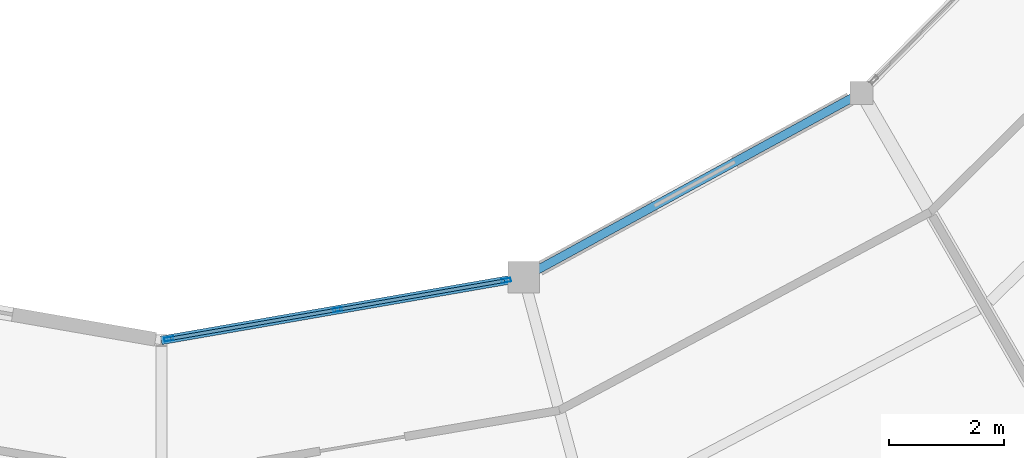
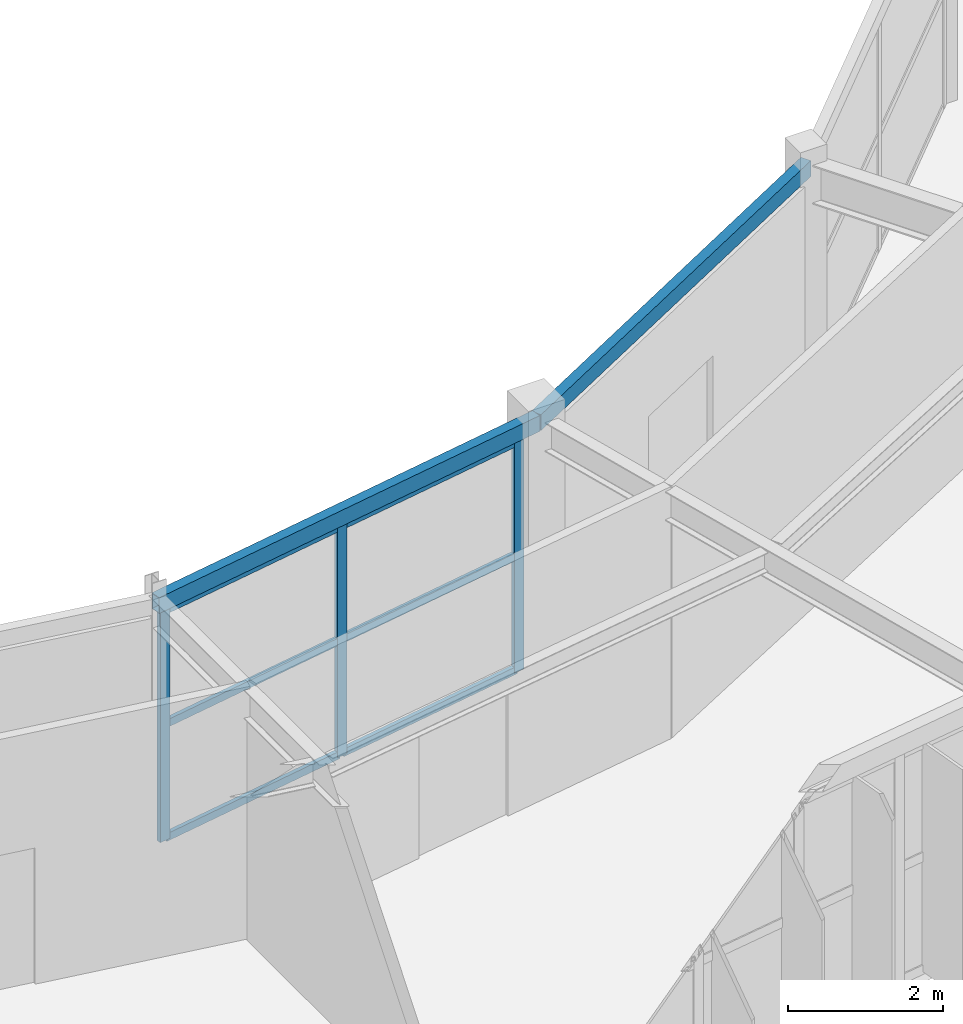
# One storey, part 47 of 134: 9 members, 2 beams, 1 element without a shape of its own.
"""IFC4 building model written with IfcOpenShell, lengths in metres."""

import ifcopenshell
import ifcopenshell.guid

model = None  # the IFC model being written
_history = None  # IfcOwnerHistory: only IFC2X3 demands one
_inside = {}  # id of a spatial element -> (the spatial element, [elements in it])
_under = {}  # id of a project, library or spatial element -> (it, [spatial elements below it])
_declared = {}  # id of a project -> (the project, [libraries it declares])
_typed = {}  # id of a type object -> (the type object, [elements of that type])
_made_of = {}  # id of a material, layer set ... -> (it, [elements and type objects made of it])


def new_model(schema):
    """Start an empty IFC model of exactly this schema.

    Asked for "IFC4X3", IfcOpenShell would pick the latest addendum, in which some entities
    have other attributes; the version numbers below select the first issue.
    IFC2X3 requires an IfcOwnerHistory on every rooted entity: one is made here for all.
    """
    global model, _history
    if schema == "IFC4X3":
        model = ifcopenshell.file(schema_version=(4, 3, 0, 0))
    else:
        model = ifcopenshell.file(schema=schema)
    _inside.clear()
    _under.clear()
    _declared.clear()
    _typed.clear()
    _made_of.clear()
    _history = None
    if model.schema == "IFC2X3":
        org = make("IfcOrganization", Name="unknown")
        user = make(
            "IfcPersonAndOrganization",
            ThePerson=make("IfcPerson", FamilyName="unknown"),
            TheOrganization=org,
        )
        app = make(
            "IfcApplication",
            ApplicationDeveloper=org,
            Version="unknown",
            ApplicationFullName="unknown",
            ApplicationIdentifier="unknown",
        )
        _history = make(
            "IfcOwnerHistory",
            OwningUser=user,
            OwningApplication=app,
            ChangeAction="ADDED",
            CreationDate=0,
        )
    return model


def make(cls, **values):
    """One entity of the class cls with the attributes given. An attribute that is None is left unset."""
    return model.create_entity(
        cls, **{name: value for name, value in values.items() if value is not None}
    )


def rooted(cls, **values):
    """An entity with a GlobalId (a new one), such as an element, a storey or a relation."""
    return make(cls, GlobalId=ifcopenshell.guid.new(), OwnerHistory=_history, **values)


def si_unit(unit_type, name, prefix=None):
    """IfcSIUnit, for example si_unit("LENGTHUNIT", "METRE", prefix="MILLI")."""
    return make("IfcSIUnit", UnitType=unit_type, Prefix=prefix, Name=name)


def assignment(units):
    """IfcUnitAssignment: the units of a project."""
    return None if units is None else make("IfcUnitAssignment", Units=units)


def point(xyz):
    """IfcCartesianPoint."""
    return None if xyz is None else make("IfcCartesianPoint", Coordinates=xyz)


def direction(xyz):
    """IfcDirection."""
    return None if xyz is None else make("IfcDirection", DirectionRatios=xyz)


def frame(location, z_axis=None, x_axis=None):
    """IfcAxis2Placement3D, a coordinate frame: its origin and axes. An axis left out is left unset."""
    return make(
        "IfcAxis2Placement3D",
        Location=point(location),
        Axis=direction(z_axis),
        RefDirection=direction(x_axis),
    )


def frame_2d(location, x_axis=None):
    """IfcAxis2Placement2D, a coordinate frame in the plane: its origin and x axis."""
    return make(
        "IfcAxis2Placement2D", Location=point(location), RefDirection=direction(x_axis)
    )


def origin():
    """The frame at (0, 0, 0) with its axes left unset."""
    return frame((0.0, 0.0, 0.0))


def origin_2d():
    """The frame at (0, 0) in the plane with its x axis left unset."""
    return frame_2d((0.0, 0.0))


def place(relative_to, where):
    """IfcLocalPlacement: puts the frame where relative to a parent placement (None: the world)."""
    return make(
        "IfcLocalPlacement", PlacementRelTo=relative_to, RelativePlacement=where
    )


def context(
    kind, dimensions, precision=None, world=None, true_north=None, identifier=None
):
    """IfcGeometricRepresentationContext, for example the 3D "Model" context."""
    return make(
        "IfcGeometricRepresentationContext",
        ContextIdentifier=identifier,
        ContextType=kind,
        CoordinateSpaceDimension=dimensions,
        Precision=precision,
        WorldCoordinateSystem=world,
        TrueNorth=true_north,
    )


def subcontext(parent, identifier, kind, view, scale=None):
    """IfcGeometricRepresentationSubContext, for example "Body" below "Model"."""
    return make(
        "IfcGeometricRepresentationSubContext",
        ContextIdentifier=identifier,
        ContextType=kind,
        ParentContext=parent,
        TargetScale=scale,
        TargetView=view,
    )


def project(units=None, contexts=None):
    """IfcProject with its units and contexts."""
    return rooted(
        "IfcProject",
        Name="project",
        RepresentationContexts=contexts,
        UnitsInContext=assignment(units),
    )


def spatial(cls, under=None, at=None, **own):
    """A site, building, storey or space (cls), placed at a placement, below another one or the project."""
    s = rooted(cls, ObjectPlacement=at, **own)
    if under is not None:
        _under.setdefault(under.id(), (under, []))[1].append(s)
    return s


def profile(cls, at=None, kind="AREA", **sizes):
    """A parametric profile (cls). Its sizes go by their IFC names, for example OverallWidth=200.0."""
    return make(cls, ProfileType=kind, Position=at, **sizes)


def hollow_rectangle(**sizes):
    """IfcRectangleHollowProfileDef."""
    return profile("IfcRectangleHollowProfileDef", **sizes)


def extrude(swept, where, along, depth):
    """IfcExtrudedAreaSolid: the profile swept, set in the frame where, extruded along a direction by depth."""
    return make(
        "IfcExtrudedAreaSolid",
        SweptArea=swept,
        Position=where,
        ExtrudedDirection=direction(along),
        Depth=depth,
    )


def shape(context_of_items, identifier, shape_type, items):
    """IfcShapeRepresentation: the items that make up one representation, for example the "Body"."""
    return make(
        "IfcShapeRepresentation",
        ContextOfItems=context_of_items,
        RepresentationIdentifier=identifier,
        RepresentationType=shape_type,
        Items=items,
    )


def material(Name=None, Category=None):
    """IfcMaterial."""
    return make("IfcMaterial", Name=Name, Category=Category)


def material_profile(
    of_material, cross_section, Name=None, Category=None, Priority=None
):
    """IfcMaterialProfile: a cross section and its material."""
    return make(
        "IfcMaterialProfile",
        Name=Name,
        Material=of_material,
        Profile=cross_section,
        Priority=Priority,
        Category=Category,
    )


def profile_set(profiles, Name=None, composite=None):
    """IfcMaterialProfileSet."""
    return make(
        "IfcMaterialProfileSet",
        Name=Name,
        MaterialProfiles=profiles,
        CompositeProfile=composite,
    )


def made_of(thing, what):
    """Note that an element or type object is made of a material, layer set ...; save() writes the relation."""
    if what is not None:
        _made_of.setdefault(what.id(), (what, []))[1].append(thing)
    return thing


def type_object(cls, material=None, **own):
    """A type object (cls), such as IfcWallType, which elements share."""
    return made_of(rooted(cls, **own), material)


def element(
    cls,
    number,
    at=None,
    inside=None,
    cuts=None,
    type_object=None,
    material=None,
    context=None,
    identifier="Body",
    shape_type=None,
    held_by="IfcProductDefinitionShape",
    body=None,
    shapes=None,
    **own,
):
    """One element of the class cls, such as IfcWall. Its Tag is "e" and its number.

    at: its placement. inside: the storey or other place that contains it. cuts: it is an
    opening in that element (IfcRelVoidsElement). A single representation is given by context,
    identifier, shape_type and body (its items); several are given by shapes. held_by: the class
    of the entity that holds the representations. save() writes the other relations.
    """
    e = rooted(cls, Tag="e%d" % number, ObjectPlacement=at, **own)
    if body is not None:
        shapes = [shape(context, identifier, shape_type, body)]
    if shapes is not None:
        e.Representation = make(held_by, Representations=shapes)
    if inside is not None:
        _inside.setdefault(inside.id(), (inside, []))[1].append(e)
    if cuts is not None:
        rooted(
            "IfcRelVoidsElement", RelatingBuildingElement=cuts, RelatedOpeningElement=e
        )
    if type_object is not None:
        _typed.setdefault(type_object.id(), (type_object, []))[1].append(e)
    return made_of(e, material)


def aggregate(whole, parts):
    """IfcRelAggregates: a whole, such as a stair, and the parts it consists of."""
    return rooted("IfcRelAggregates", RelatingObject=whole, RelatedObjects=parts)


def save(model, path):
    """Write the relations noted so far, then the file.

    IfcRelAggregates (storeys below a building ...), IfcRelContainedInSpatialStructure (elements
    in a storey), IfcRelDefinesByType, IfcRelAssociatesMaterial and IfcRelDeclares: one each for
    every whole, place, type object, material and project.
    """
    for whole, parts in _under.values():
        aggregate(whole, parts)
    for where, things in _inside.values():
        rooted(
            "IfcRelContainedInSpatialStructure",
            RelatedElements=things,
            RelatingStructure=where,
        )
    for kind, things in _typed.values():
        rooted("IfcRelDefinesByType", RelatedObjects=things, RelatingType=kind)
    for what, things in _made_of.values():
        rooted("IfcRelAssociatesMaterial", RelatedObjects=things, RelatingMaterial=what)
    for by, libraries in _declared.values():
        rooted("IfcRelDeclares", RelatingContext=by, RelatedDefinitions=libraries)
    model.write(path)


model = new_model("IFC4")

# Units and contexts
model_context = context("Model", 3, precision=1e-05, world=origin(), true_north=direction((0.0, 1.0)))
body_context = subcontext(model_context, "Body", "Model", "MODEL_VIEW")
ifc_project = project(units=[si_unit("LENGTHUNIT", "METRE"), si_unit("AREAUNIT", "SQUARE_METRE"), si_unit("VOLUMEUNIT", "CUBIC_METRE"), si_unit("PLANEANGLEUNIT", "RADIAN"), si_unit("MASSUNIT", "GRAM", prefix="KILO")], contexts=[model_context])

# Site, building, storey
site_placement = place(None, origin())
site = spatial("IfcSite", under=ifc_project, at=site_placement, CompositionType="ELEMENT")
building_placement = place(site_placement, origin())
building = spatial("IfcBuilding", under=site, at=building_placement, Name="Karori Crest Natural Sciences Institute", CompositionType="ELEMENT")
storey_placement = place(building_placement, frame((0.0, 0.0, 21.699951171875)))
storey = spatial("IfcBuildingStorey", under=building, at=storey_placement, Name="L05", CompositionType="ELEMENT", Elevation=21.699951171875)

# Beams
ifc_material_1 = material(Name="Hollow structural steel AS/NZS 1163 Grade C350", Category="steel")
ifc_material_profile_1 = material_profile(ifc_material_1, hollow_rectangle(XDim=0.14990234375, YDim=0.25, WallThickness=0.009033203125, at=origin_2d()), Name="RHS250x150x9")
ifc_profile_set_1 = profile_set([ifc_material_profile_1], Name="Hollow structural steel AS/NZS 1163 Grade C350")
beam_type = type_object("IfcBeamType", Name="BT-16", PredefinedType="SPANDREL", material=ifc_profile_set_1)
beam_1_placement = place(storey_placement, frame((66.39990234375, 17.699951171875, 3.7900390625), z_axis=(0.985241372425, 0.17117078624, 0.0), x_axis=(-0.17117078624, 0.985241372425, 0.0)))
element("IfcBeam", 1, at=beam_1_placement, inside=storey, type_object=beam_type, Name="Beam B-0597", PredefinedType="SPANDREL", context=body_context, shape_type="SweptSolid", body=[
    extrude(hollow_rectangle(XDim=0.14990234375, YDim=0.25, WallThickness=0.009033203125, at=origin_2d()), origin(), (0.0, 0.0, 1.0), 6.40966796875),
])
beam_2_placement = place(storey_placement, frame((72.715087890625, 18.797119140625, 3.7900390625), z_axis=(0.877469531616, 0.47963238119, 0.0), x_axis=(-0.47963238119, 0.877469531616, 0.0)))
element("IfcBeam", 2, at=beam_2_placement, inside=storey, type_object=beam_type, Name="Beam B-0601", PredefinedType="SPANDREL", context=body_context, shape_type="SweptSolid", body=[
    extrude(hollow_rectangle(XDim=0.14990234375, YDim=0.25, WallThickness=0.009033203125, at=origin_2d()), origin(), (0.0, 0.0, 1.0), 6.706787109375),
])

# Curtain wall, members
ifc_material_2 = material(Name="Anodised architectural aluminium 6063-T6", Category="aluminium")
curtain_wall_type = type_object("IfcCurtainWallType", Name="CWT-14", PredefinedType="NOTDEFINED", material=ifc_material_2)
curtain_wall_placement = place(storey_placement, origin())
curtain_wall = element("IfcCurtainWall", 3, at=curtain_wall_placement, inside=storey, type_object=curtain_wall_type, Name="Curtain wall CW-0200", PredefinedType="NOTDEFINED")
ifc_material_profile_2 = material_profile(ifc_material_2, hollow_rectangle(XDim=0.06494140625, YDim=0.159912109375, WallThickness=0.00390625, at=origin_2d()), Name="CWM160x65x4")
ifc_profile_set_2 = profile_set([ifc_material_profile_2], Name="Anodised architectural aluminium 6063-T6")
member_type_1 = type_object("IfcMemberType", Name="CWM-01", PredefinedType="MULLION", material=ifc_profile_set_2)
member_1_placement = place(storey_placement, frame((66.532470703125, 17.72314453125, 0.0), z_axis=(0.0, 0.0, 1.0), x_axis=(-0.171173924291, 0.985240827231, 0.0)))
member_1 = element("IfcMember", 4, at=member_1_placement, type_object=member_type_1, Name="CW-0200 mullion 1", PredefinedType="MULLION", context=body_context, shape_type="SweptSolid", body=[
    extrude(hollow_rectangle(XDim=0.06494140625, YDim=0.159912109375, WallThickness=0.00390625, at=origin_2d()), origin(), (0.0, 0.0, 1.0), 3.650146484375),
])
member_2_placement = place(storey_placement, frame((69.471435546875, 18.233642578125, 0.0), z_axis=(0.0, 0.0, 1.0), x_axis=(-0.171173924291, 0.985240827231, 0.0)))
member_2 = element("IfcMember", 5, at=member_2_placement, type_object=member_type_1, Name="CW-0200 mullion 2", PredefinedType="MULLION", context=body_context, shape_type="SweptSolid", body=[
    extrude(hollow_rectangle(XDim=0.06494140625, YDim=0.159912109375, WallThickness=0.00390625, at=origin_2d()), origin(), (0.0, 0.0, 1.0), 3.650146484375),
])
member_3_placement = place(storey_placement, frame((72.41015625, 18.744140625, 0.0), z_axis=(0.0, 0.0, 1.0), x_axis=(-0.171173924291, 0.985240827231, 0.0)))
member_3 = element("IfcMember", 6, at=member_3_placement, type_object=member_type_1, Name="CW-0200 mullion 3", PredefinedType="MULLION", context=body_context, shape_type="SweptSolid", body=[
    extrude(hollow_rectangle(XDim=0.06494140625, YDim=0.159912109375, WallThickness=0.00390625, at=origin_2d()), origin(), (0.0, 0.0, 1.0), 3.650146484375),
])
ifc_material_profile_3 = material_profile(ifc_material_2, hollow_rectangle(XDim=0.06005859375, YDim=0.1201171875, WallThickness=0.00390625, at=origin_2d()), Name="CWT120x60x4")
ifc_profile_set_3 = profile_set([ifc_material_profile_3], Name="Anodised architectural aluminium 6063-T6")
member_type_2 = type_object("IfcMemberType", Name="CWT-TR1", PredefinedType="USERDEFINED", material=ifc_profile_set_3)
member_4_placement = place(storey_placement, frame((66.564453125, 17.728515625, 0.030029296875), z_axis=(0.98523753612, 0.171192866149, 0.0), x_axis=(-0.171192866149, 0.98523753612, 0.0)))
member_4 = element("IfcMember", 7, at=member_4_placement, type_object=member_type_2, Name="CW-0200 transom 1.1", ObjectType="TRANSOM", PredefinedType="USERDEFINED", context=body_context, shape_type="SweptSolid", body=[
    extrude(hollow_rectangle(XDim=0.06005859375, YDim=0.1201171875, WallThickness=0.00390625, at=origin_2d()), origin(), (0.0, 0.0, 1.0), 2.917724609375),
])
member_5_placement = place(storey_placement, frame((66.564453125, 17.728515625, 1.824951171875), z_axis=(0.98523753612, 0.171192866149, 0.0), x_axis=(-0.171192866149, 0.98523753612, 0.0)))
member_5 = element("IfcMember", 8, at=member_5_placement, type_object=member_type_2, Name="CW-0200 transom 1.2", ObjectType="TRANSOM", PredefinedType="USERDEFINED", context=body_context, shape_type="SweptSolid", body=[
    extrude(hollow_rectangle(XDim=0.06005859375, YDim=0.1201171875, WallThickness=0.00390625, at=origin_2d()), origin(), (0.0, 0.0, 1.0), 2.917724609375),
])
member_6_placement = place(storey_placement, frame((66.564453125, 17.728515625, 3.6201171875), z_axis=(0.98523753612, 0.171192866149, 0.0), x_axis=(-0.171192866149, 0.98523753612, 0.0)))
member_6 = element("IfcMember", 9, at=member_6_placement, type_object=member_type_2, Name="CW-0200 transom 1.3", ObjectType="TRANSOM", PredefinedType="USERDEFINED", context=body_context, shape_type="SweptSolid", body=[
    extrude(hollow_rectangle(XDim=0.06005859375, YDim=0.1201171875, WallThickness=0.00390625, at=origin_2d()), origin(), (0.0, 0.0, 1.0), 2.917724609375),
])
member_7_placement = place(storey_placement, frame((69.50341796875, 18.2392578125, 0.030029296875), z_axis=(0.98523753612, 0.171192866149, 0.0), x_axis=(-0.171192866149, 0.98523753612, 0.0)))
member_7 = element("IfcMember", 10, at=member_7_placement, type_object=member_type_2, Name="CW-0200 transom 2.1", ObjectType="TRANSOM", PredefinedType="USERDEFINED", context=body_context, shape_type="SweptSolid", body=[
    extrude(hollow_rectangle(XDim=0.06005859375, YDim=0.1201171875, WallThickness=0.00390625, at=origin_2d()), origin(), (0.0, 0.0, 1.0), 2.917724609375),
])
member_8_placement = place(storey_placement, frame((69.50341796875, 18.2392578125, 1.824951171875), z_axis=(0.98523753612, 0.171192866149, 0.0), x_axis=(-0.171192866149, 0.98523753612, 0.0)))
member_8 = element("IfcMember", 11, at=member_8_placement, type_object=member_type_2, Name="CW-0200 transom 2.2", ObjectType="TRANSOM", PredefinedType="USERDEFINED", context=body_context, shape_type="SweptSolid", body=[
    extrude(hollow_rectangle(XDim=0.06005859375, YDim=0.1201171875, WallThickness=0.00390625, at=origin_2d()), origin(), (0.0, 0.0, 1.0), 2.917724609375),
])
member_9_placement = place(storey_placement, frame((69.50341796875, 18.2392578125, 3.6201171875), z_axis=(0.98523753612, 0.171192866149, 0.0), x_axis=(-0.171192866149, 0.98523753612, 0.0)))
member_9 = element("IfcMember", 12, at=member_9_placement, type_object=member_type_2, Name="CW-0200 transom 2.3", ObjectType="TRANSOM", PredefinedType="USERDEFINED", context=body_context, shape_type="SweptSolid", body=[
    extrude(hollow_rectangle(XDim=0.06005859375, YDim=0.1201171875, WallThickness=0.00390625, at=origin_2d()), origin(), (0.0, 0.0, 1.0), 2.917724609375),
])
aggregate(curtain_wall, [member_1, member_2, member_3, member_4, member_5, member_6, member_7, member_8, member_9])

save(model, "model.ifc")
